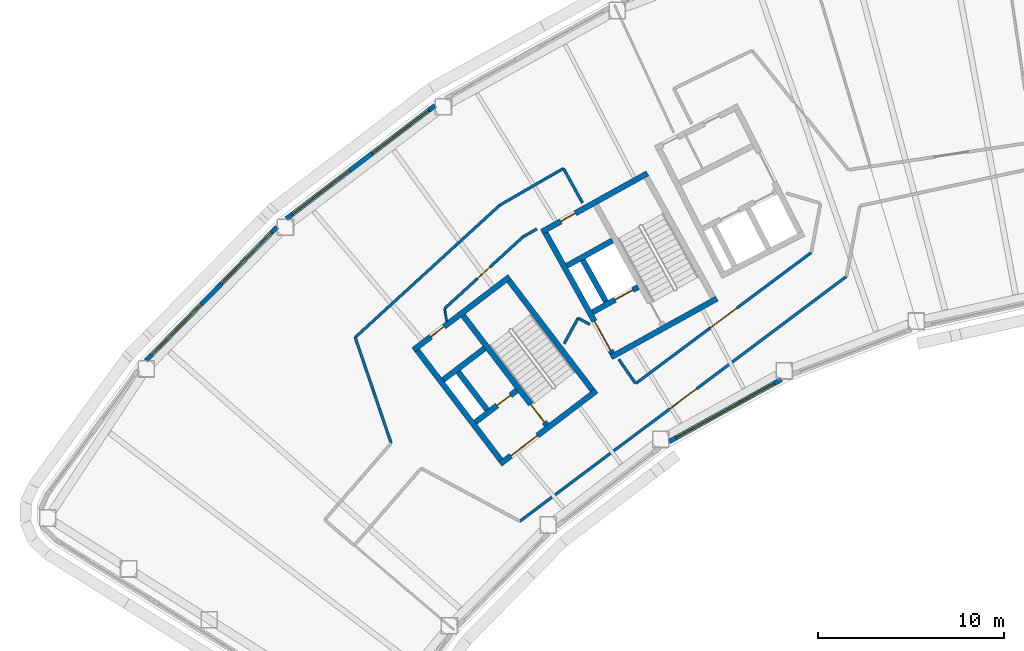
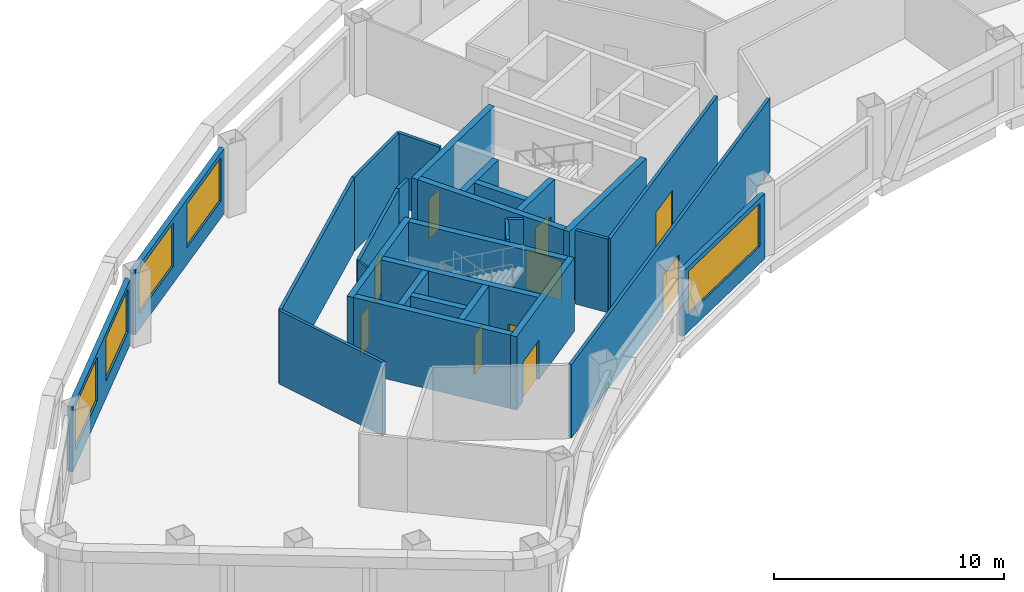
# One storey, part 5 of 12: 29 walls, 10 doors, 5 windows, 15 openings.
"""IFC4 building model written with IfcOpenShell, lengths in metres."""

from ifc_helpers import new_model, si_unit, direction, frame, frame_2d, origin, place, context, subcontext, project, spatial, rectangle, extrude, material, layer, layer_set, type_object, element, fill, save


model = new_model("IFC4")

# Units and contexts
model_context = context("Model", 3, precision=1e-05, world=origin(), true_north=direction((0.0, 1.0)))
body_context = subcontext(model_context, "Body", "Model", "MODEL_VIEW")
ifc_project = project(units=[si_unit("LENGTHUNIT", "METRE"), si_unit("AREAUNIT", "SQUARE_METRE"), si_unit("VOLUMEUNIT", "CUBIC_METRE"), si_unit("PLANEANGLEUNIT", "RADIAN"), si_unit("MASSUNIT", "GRAM", prefix="KILO")], contexts=[model_context])

# Site, building, storey
site_placement = place(None, origin())
site = spatial("IfcSite", under=ifc_project, at=site_placement, CompositionType="ELEMENT")
building_placement = place(site_placement, origin())
building = spatial("IfcBuilding", under=site, at=building_placement, Name="Tuul Gate Civic Tower", CompositionType="ELEMENT")
storey_placement = place(building_placement, frame((0.0, 0.0, 176.300048828125)))
storey = spatial("IfcBuildingStorey", under=building, at=storey_placement, Name="Level 40", CompositionType="ELEMENT", Elevation=176.300048828125)

# Wall, opening, door
ifc_material_1 = material(Name="Concrete C50/60", Category="concrete")
ifc_layer_1 = layer(ifc_material_1, 0.300048828125)
ifc_layer_set_1 = layer_set([ifc_layer_1], Name="Concrete C50/60")
wall_type_1 = type_object("IfcWallType", Name="Core wall C50/60", PredefinedType="SHEAR", material=ifc_layer_set_1)
wall_1_placement = place(storey_placement, frame((-31.19091796875, -13.669677734375, 0.0), z_axis=(0.0, 0.0, 1.0), x_axis=(-0.795606717756, -0.605813461934, 0.0)))
wall_1 = element("IfcWall", 1, at=wall_1_placement, inside=storey, type_object=wall_type_1, Name="Core wall", PredefinedType="SHEAR", context=body_context, shape_type="SweptSolid", body=[
    extrude(rectangle(XDim=6.5, YDim=0.300048828125, at=frame_2d((3.25, 0.0))), origin(), (0.0, 0.0, 1.0), 3.89990234375),
])
opening_1_placement = place(wall_1_placement, frame((3.97509765625, 0.0, 0.0)))
opening_1 = element("IfcOpeningElement", 2, at=opening_1_placement, cuts=wall_1, Name="Opening LB-W1-LOBBY-1", PredefinedType="OPENING", context=body_context, shape_type="SweptSolid", body=[
    extrude(rectangle(XDim=1.800048828125, YDim=2.10009765625, at=frame_2d((0.89990234375, 1.050048828125))), frame((0.0, 0.16015625, 0.0), z_axis=(0.0, -1.0, 0.0), x_axis=(1.0, 0.0, 0.0)), (0.0, 0.0, 1.0), 0.320068359375),
])
ifc_material_2 = material(Name="Steel", Category="steel")
door_type_1 = type_object("IfcDoorType", Name="Lobby door", OperationType="DOUBLE_DOOR_SINGLE_SWING", PredefinedType="DOOR", material=ifc_material_2)
door_1_placement = place(opening_1_placement, origin())
door_1 = element("IfcDoor", 3, at=door_1_placement, inside=storey, type_object=door_type_1, Name="Lobby door W1-LOBBY", OperationType="DOUBLE_DOOR_SINGLE_SWING", OverallHeight=2.10009765625, OverallWidth=1.800048828125, PredefinedType="DOOR", context=body_context, shape_type="SweptSolid", body=[
    extrude(rectangle(XDim=1.800048828125, YDim=2.10009765625, at=frame_2d((0.89990234375, 1.050048828125))), frame((0.0, 0.02490234375, 0.0), z_axis=(0.0, -1.0, 0.0), x_axis=(1.0, 0.0, 0.0)), (0.0, 0.0, 1.0), 0.050048828125),
])
fill(opening_1, door_1)

wall_2_placement = place(storey_placement, frame((-35.470947265625, -13.66064453125, 0.0), z_axis=(0.0, 0.0, 1.0), x_axis=(-0.795615822227, -0.605801504968, 0.0)))
wall_2 = element("IfcWall", 4, at=wall_2_placement, inside=storey, type_object=wall_type_1, Name="Core wall", PredefinedType="SHEAR", context=body_context, shape_type="SweptSolid", body=[
    extrude(rectangle(XDim=2.800048828125, YDim=0.300048828125, at=frame_2d((1.39990234375, 0.0))), origin(), (0.0, 0.0, 1.0), 3.89990234375),
])
opening_2_placement = place(wall_2_placement, frame((0.425048828125, 0.0, 0.0)))
opening_2 = element("IfcOpeningElement", 5, at=opening_2_placement, cuts=wall_2, Name="Opening FB-W1A1", PredefinedType="OPENING", context=body_context, shape_type="SweptSolid", body=[
    extrude(rectangle(XDim=0.89990234375, YDim=2.10009765625, at=frame_2d((0.449951171875, 1.050048828125))), frame((0.0, 0.16015625, 0.0), z_axis=(0.0, -1.0, 0.0), x_axis=(1.0, 0.0, 0.0)), (0.0, 0.0, 1.0), 0.320068359375),
])
ifc_material_3 = material(Name="Steel", Category="steel")
door_type_2 = type_object("IfcDoorType", Name="Store door", OperationType="NOTDEFINED", PredefinedType="DOOR", material=ifc_material_3)
door_2_placement = place(opening_2_placement, frame((0.89990234375, 0.0, 0.0), z_axis=(0.0, 0.0, 1.0), x_axis=(-1.0, 0.0, 0.0)))
door_2 = element("IfcDoor", 6, at=door_2_placement, inside=storey, type_object=door_type_2, Name="Store door W1A1", OperationType="SINGLE_SWING_RIGHT", OverallHeight=2.10009765625, OverallWidth=0.89990234375, PredefinedType="DOOR", context=body_context, shape_type="SweptSolid", body=[
    extrude(rectangle(XDim=0.89990234375, YDim=2.10009765625, at=frame_2d((0.449951171875, 1.050048828125))), frame((0.0, 0.02490234375, 0.0), z_axis=(0.0, -1.0, 0.0), x_axis=(1.0, 0.0, 0.0)), (0.0, 0.0, 1.0), 0.050048828125),
])
fill(opening_2, door_2)

# Wall
wall_3_placement = place(storey_placement, frame((-37.197509765625, -11.39306640625, 0.0), z_axis=(0.0, 0.0, 1.0), x_axis=(-0.795583820278, -0.605843531707, 0.0)))
element("IfcWall", 7, at=wall_3_placement, inside=storey, type_object=wall_type_1, Name="Core wall", PredefinedType="SHEAR", context=body_context, shape_type="SweptSolid", body=[
    extrude(rectangle(XDim=2.7998046875, YDim=0.300048828125, at=frame_2d((1.39990234375, 0.0))), origin(), (0.0, 0.0, 1.0), 3.89990234375),
])

# Wall, opening, door
wall_4_placement = place(storey_placement, frame((-35.855224609375, -7.543212890625, 0.0), z_axis=(0.0, 0.0, 1.0), x_axis=(-0.79563860527, -0.605771582202, 0.0)))
wall_4 = element("IfcWall", 8, at=wall_4_placement, inside=storey, type_object=wall_type_1, Name="Core wall", PredefinedType="SHEAR", context=body_context, shape_type="SweptSolid", body=[
    extrude(rectangle(XDim=6.5, YDim=0.300048828125, at=frame_2d((3.25, 0.0))), origin(), (0.0, 0.0, 1.0), 3.89990234375),
])
opening_3_placement = place(wall_4_placement, frame((4.425048828125, 0.0, 0.0)))
opening_3 = element("IfcOpeningElement", 9, at=opening_3_placement, cuts=wall_4, Name="Opening N-D13", PredefinedType="OPENING", context=body_context, shape_type="SweptSolid", body=[
    extrude(rectangle(XDim=0.89990234375, YDim=2.10009765625, at=frame_2d((0.449951171875, 1.050048828125))), frame((0.0, 0.16015625, 0.0), z_axis=(0.0, -1.0, 0.0), x_axis=(1.0, 0.0, 0.0)), (0.0, 0.0, 1.0), 0.320068359375),
])
ifc_material_4 = material(Name="Timber door leaf", Category="wood")
door_type_3 = type_object("IfcDoorType", Name="Door D09", OperationType="NOTDEFINED", PredefinedType="DOOR", material=ifc_material_4)
door_3_placement = place(opening_3_placement, origin())
door_3 = element("IfcDoor", 10, at=door_3_placement, inside=storey, type_object=door_type_3, Name="Door N-D13", OperationType="SINGLE_SWING_LEFT", OverallHeight=2.10009765625, OverallWidth=0.89990234375, PredefinedType="DOOR", context=body_context, shape_type="SweptSolid", body=[
    extrude(rectangle(XDim=0.89990234375, YDim=2.10009765625, at=frame_2d((0.449951171875, 1.050048828125))), frame((0.0, 0.02490234375, 0.0), z_axis=(0.0, -1.0, 0.0), x_axis=(1.0, 0.0, 0.0)), (0.0, 0.0, 1.0), 0.050048828125),
])
fill(opening_3, door_3)

# Wall
wall_5_placement = place(storey_placement, frame((-31.401123046875, -13.64111328125, 0.0), z_axis=(0.0, 0.0, 1.0), x_axis=(-0.605769822278, 0.795639945213, 0.0)))
element("IfcWall", 11, at=wall_5_placement, inside=storey, type_object=wall_type_1, Name="Core wall", PredefinedType="SHEAR", context=body_context, shape_type="SweptSolid", body=[
    extrude(rectangle(XDim=7.39990234375, YDim=0.300048828125, at=frame_2d((3.699951171875, 0.0))), origin(), (0.0, 0.0, 1.0), 3.89990234375),
])

# Wall, opening, door
wall_6_placement = place(storey_placement, frame((-33.867431640625, -15.51904296875, 0.0), z_axis=(0.0, 0.0, 1.0), x_axis=(-0.605769822278, 0.795639945213, 0.0)))
wall_6 = element("IfcWall", 12, at=wall_6_placement, inside=storey, type_object=wall_type_1, Name="Core wall", PredefinedType="SHEAR", context=body_context, shape_type="SweptSolid", body=[
    extrude(rectangle(XDim=7.39990234375, YDim=0.300048828125, at=frame_2d((3.699951171875, 0.0))), origin(), (0.0, 0.0, 1.0), 3.89990234375),
])
opening_4_placement = place(wall_6_placement, frame((0.199951171875, 0.0, 0.0)))
opening_4 = element("IfcOpeningElement", 13, at=opening_4_placement, cuts=wall_6, Name="Opening SD-ST-1", PredefinedType="OPENING", context=body_context, shape_type="SweptSolid", body=[
    extrude(rectangle(XDim=1.199951171875, YDim=2.10009765625, at=frame_2d((0.60009765625, 1.050048828125))), frame((0.0, 0.16015625, 0.0), z_axis=(0.0, -1.0, 0.0), x_axis=(1.0, 0.0, 0.0)), (0.0, 0.0, 1.0), 0.320068359375),
])
ifc_material_5 = material(Name="Steel", Category="steel")
door_type_4 = type_object("IfcDoorType", Name="Stair door", OperationType="NOTDEFINED", PredefinedType="DOOR", material=ifc_material_5)
door_4_placement = place(opening_4_placement, origin())
door_4 = element("IfcDoor", 14, at=door_4_placement, inside=storey, type_object=door_type_4, Name="Stair door ST-1", OperationType="SINGLE_SWING_LEFT", OverallHeight=2.10009765625, OverallWidth=1.199951171875, PredefinedType="DOOR", context=body_context, shape_type="SweptSolid", body=[
    extrude(rectangle(XDim=1.199951171875, YDim=2.10009765625, at=frame_2d((0.60009765625, 1.050048828125))), frame((0.0, 0.02490234375, 0.0), z_axis=(0.0, -1.0, 0.0), x_axis=(1.0, 0.0, 0.0)), (0.0, 0.0, 1.0), 0.050048828125),
])
fill(opening_4, door_4)

# Walls
wall_7_placement = place(storey_placement, frame((-37.073486328125, -14.6923828125, 0.0), z_axis=(0.0, 0.0, 1.0), x_axis=(-0.605728760074, 0.79567120673, 0.0)))
element("IfcWall", 15, at=wall_7_placement, inside=storey, type_object=wall_type_1, Name="Core wall", PredefinedType="SHEAR", context=body_context, shape_type="SweptSolid", body=[
    extrude(rectangle(XDim=2.550048828125, YDim=0.300048828125, at=frame_2d((1.27490234375, 0.0))), origin(), (0.0, 0.0, 1.0), 3.89990234375),
])
wall_8_placement = place(storey_placement, frame((-36.333984375, -17.397216796875, 0.0), z_axis=(0.0, 0.0, 1.0), x_axis=(-0.605753921168, 0.795652051458, 0.0)))
element("IfcWall", 16, at=wall_8_placement, inside=storey, type_object=wall_type_1, Name="Core wall", PredefinedType="SHEAR", context=body_context, shape_type="SweptSolid", body=[
    extrude(rectangle(XDim=7.400146484375, YDim=0.300048828125, at=frame_2d((3.7001953125, 0.0))), origin(), (0.0, 0.0, 1.0), 3.89990234375),
])
wall_9_placement = place(storey_placement, frame((-24.711669921875, -8.7158203125, 0.0), z_axis=(0.0, 0.0, 1.0), x_axis=(-0.874629909008, -0.484791215132, 0.0)))
element("IfcWall", 17, at=wall_9_placement, inside=storey, type_object=wall_type_1, Name="Core wall", PredefinedType="SHEAR", context=body_context, shape_type="SweptSolid", body=[
    extrude(rectangle(XDim=6.5, YDim=0.300048828125, at=frame_2d((3.25, 0.0))), origin(), (0.0, 0.0, 1.0), 3.89990234375),
])

# Wall, opening, door
wall_10_placement = place(storey_placement, frame((-28.94580078125, -8.090087890625, 0.0), z_axis=(0.0, 0.0, 1.0), x_axis=(-0.874629840737, -0.484791338301, 0.0)))
wall_10 = element("IfcWall", 18, at=wall_10_placement, inside=storey, type_object=wall_type_1, Name="Core wall", PredefinedType="SHEAR", context=body_context, shape_type="SweptSolid", body=[
    extrude(rectangle(XDim=2.800048828125, YDim=0.300048828125, at=frame_2d((1.39990234375, 0.0))), origin(), (0.0, 0.0, 1.0), 3.89990234375),
])
opening_5_placement = place(wall_10_placement, frame((0.324951171875, 0.0, 0.0)))
opening_5 = element("IfcOpeningElement", 19, at=opening_5_placement, cuts=wall_10, Name="Opening LD-FF-1", PredefinedType="OPENING", context=body_context, shape_type="SweptSolid", body=[
    extrude(rectangle(XDim=1.10009765625, YDim=2.10009765625, at=frame_2d((0.550048828125, 1.050048828125))), frame((0.0, 0.16015625, 0.0), z_axis=(0.0, -1.0, 0.0), x_axis=(1.0, 0.0, 0.0)), (0.0, 0.0, 1.0), 0.320068359375),
])
ifc_material_6 = material(Name="Stainless steel", Category="steel")
door_type_5 = type_object("IfcDoorType", Name="Landing door", OperationType="DOUBLE_DOOR_SLIDING", PredefinedType="DOOR", material=ifc_material_6)
door_5_placement = place(opening_5_placement, origin())
door_5 = element("IfcDoor", 20, at=door_5_placement, inside=storey, type_object=door_type_5, Name="Fire-fighting lift FF-1 landing door", OperationType="DOUBLE_DOOR_SLIDING", OverallHeight=2.10009765625, OverallWidth=1.10009765625, PredefinedType="DOOR", context=body_context, shape_type="SweptSolid", body=[
    extrude(rectangle(XDim=1.10009765625, YDim=2.10009765625, at=frame_2d((0.550048828125, 1.050048828125))), frame((0.0, 0.02490234375, 0.0), z_axis=(0.0, -1.0, 0.0), x_axis=(1.0, 0.0, 0.0)), (0.0, 0.0, 1.0), 0.050048828125),
])
fill(opening_5, door_5)

# Wall
wall_11_placement = place(storey_placement, frame((-30.327392578125, -5.59716796875, 0.0), z_axis=(0.0, 0.0, 1.0), x_axis=(-0.874629840737, -0.484791338301, 0.0)))
element("IfcWall", 21, at=wall_11_placement, inside=storey, type_object=wall_type_1, Name="Core wall", PredefinedType="SHEAR", context=body_context, shape_type="SweptSolid", body=[
    extrude(rectangle(XDim=2.800048828125, YDim=0.300048828125, at=frame_2d((1.39990234375, 0.0))), origin(), (0.0, 0.0, 1.0), 3.89990234375),
])

# Wall, opening, door
wall_12_placement = place(storey_placement, frame((-28.4443359375, -1.98095703125, 0.0), z_axis=(0.0, 0.0, 1.0), x_axis=(-0.874629909008, -0.484791215132, 0.0)))
wall_12 = element("IfcWall", 22, at=wall_12_placement, inside=storey, type_object=wall_type_1, Name="Core wall", PredefinedType="SHEAR", context=body_context, shape_type="SweptSolid", body=[
    extrude(rectangle(XDim=6.5, YDim=0.300048828125, at=frame_2d((3.25, 0.0))), origin(), (0.0, 0.0, 1.0), 3.89990234375),
])
opening_6_placement = place(wall_12_placement, frame((4.425048828125, 0.0, 0.0)))
opening_6 = element("IfcOpeningElement", 23, at=opening_6_placement, cuts=wall_12, Name="Opening N-D14", PredefinedType="OPENING", context=body_context, shape_type="SweptSolid", body=[
    extrude(rectangle(XDim=0.89990234375, YDim=2.10009765625, at=frame_2d((0.449951171875, 1.050048828125))), frame((0.0, 0.16015625, 0.0), z_axis=(0.0, -1.0, 0.0), x_axis=(1.0, 0.0, 0.0)), (0.0, 0.0, 1.0), 0.320068359375),
])
door_6_placement = place(opening_6_placement, origin())
door_6 = element("IfcDoor", 24, at=door_6_placement, inside=storey, type_object=door_type_3, Name="Door N-D14", OperationType="SINGLE_SWING_LEFT", OverallHeight=2.10009765625, OverallWidth=0.89990234375, PredefinedType="DOOR", context=body_context, shape_type="SweptSolid", body=[
    extrude(rectangle(XDim=0.89990234375, YDim=2.10009765625, at=frame_2d((0.449951171875, 1.050048828125))), frame((0.0, 0.02490234375, 0.0), z_axis=(0.0, -1.0, 0.0), x_axis=(1.0, 0.0, 0.0)), (0.0, 0.0, 1.0), 0.050048828125),
])
fill(opening_6, door_6)

# Wall
wall_13_placement = place(storey_placement, frame((-30.680419921875, -8.8798828125, 0.0), z_axis=(0.0, 0.0, 1.0), x_axis=(-0.484724115216, 0.874667097888, 0.0)))
element("IfcWall", 25, at=wall_13_placement, inside=storey, type_object=wall_type_1, Name="Core wall", PredefinedType="SHEAR", context=body_context, shape_type="SweptSolid", body=[
    extrude(rectangle(XDim=2.550048828125, YDim=0.300048828125, at=frame_2d((1.27490234375, 0.0))), origin(), (0.0, 0.0, 1.0), 3.89990234375),
])

# Wall, opening, door
wall_14_placement = place(storey_placement, frame((-30.33837890625, -11.6630859375, 0.0), z_axis=(0.0, 0.0, 1.0), x_axis=(-0.484751894226, 0.874651702704, 0.0)))
wall_14 = element("IfcWall", 26, at=wall_14_placement, inside=storey, type_object=wall_type_1, Name="Core wall", PredefinedType="SHEAR", context=body_context, shape_type="SweptSolid", body=[
    extrude(rectangle(XDim=7.39990234375, YDim=0.300048828125, at=frame_2d((3.699951171875, 0.0))), origin(), (0.0, 0.0, 1.0), 3.89990234375),
])
opening_7_placement = place(wall_14_placement, frame((0.175048828125, 0.0, 0.0)))
opening_7 = element("IfcOpeningElement", 27, at=opening_7_placement, cuts=wall_14, Name="Opening LB-W2-FLOBBY-1", PredefinedType="OPENING", context=body_context, shape_type="SweptSolid", body=[
    extrude(rectangle(XDim=1.800048828125, YDim=2.10009765625, at=frame_2d((0.89990234375, 1.050048828125))), frame((0.0, 0.16015625, 0.0), z_axis=(0.0, -1.0, 0.0), x_axis=(1.0, 0.0, 0.0)), (0.0, 0.0, 1.0), 0.320068359375),
])
door_7_placement = place(opening_7_placement, frame((1.800048828125, 0.0, 0.0), z_axis=(0.0, 0.0, 1.0), x_axis=(-1.0, 0.0, 0.0)))
door_7 = element("IfcDoor", 28, at=door_7_placement, inside=storey, type_object=door_type_1, Name="Lobby door W2-FLOBBY", OperationType="DOUBLE_DOOR_SINGLE_SWING", OverallHeight=2.10009765625, OverallWidth=1.800048828125, PredefinedType="DOOR", context=body_context, shape_type="SweptSolid", body=[
    extrude(rectangle(XDim=1.800048828125, YDim=2.10009765625, at=frame_2d((0.900146484375, 1.050048828125))), frame((0.0, 0.02490234375, 0.0), z_axis=(0.0, -1.0, 0.0), x_axis=(1.0, 0.0, 0.0)), (0.0, 0.0, 1.0), 0.050048828125),
])
fill(opening_7, door_7)

ifc_material_7 = material(Name="Gypsum board partition")
ifc_layer_2 = layer(ifc_material_7, 0.14990234375)
ifc_layer_set_2 = layer_set([ifc_layer_2], Name="Gypsum board partition")
wall_type_2 = type_object("IfcWallType", Name="Corridor wall P150", PredefinedType="PARTITIONING", material=ifc_layer_set_2)
wall_15_placement = place(storey_placement, frame((-29.066650390625, -13.27490234375, 0.0), z_axis=(0.0, 0.0, 1.0), x_axis=(0.801557783096, 0.597917318998, 0.0)))
wall_15 = element("IfcWall", 29, at=wall_15_placement, inside=storey, type_object=wall_type_2, Name="p029", PredefinedType="PARTITIONING", context=body_context, shape_type="SweptSolid", body=[
    extrude(rectangle(XDim=11.752685546875, YDim=0.14990234375, at=frame_2d((5.87646484375, 0.0))), origin(), (0.0, 0.0, 1.0), 3.89990234375),
])
opening_8_placement = place(wall_15_placement, frame((4.976318359375, 0.0, 0.0)))
opening_8 = element("IfcOpeningElement", 30, at=opening_8_placement, cuts=wall_15, Name="Opening N-D07", PredefinedType="OPENING", context=body_context, shape_type="SweptSolid", body=[
    extrude(rectangle(XDim=1.800048828125, YDim=2.10009765625, at=frame_2d((0.89990234375, 1.050048828125))), frame((0.0, 0.0849609375, 0.0), z_axis=(0.0, -1.0, 0.0), x_axis=(1.0, 0.0, 0.0)), (0.0, 0.0, 1.0), 0.169921875),
])
ifc_material_8 = material(Name="Timber door leaf, double", Category="wood")
door_type_6 = type_object("IfcDoorType", Name="Door D18", OperationType="DOUBLE_DOOR_SINGLE_SWING", PredefinedType="DOOR", material=ifc_material_8)
door_8_placement = place(opening_8_placement, origin())
door_8 = element("IfcDoor", 31, at=door_8_placement, inside=storey, type_object=door_type_6, Name="Door N-D07", OperationType="DOUBLE_DOOR_SINGLE_SWING", OverallHeight=2.10009765625, OverallWidth=1.800048828125, PredefinedType="DOOR", context=body_context, shape_type="SweptSolid", body=[
    extrude(rectangle(XDim=1.800048828125, YDim=2.10009765625, at=frame_2d((0.89990234375, 1.050048828125))), frame((0.0, 0.02490234375, 0.0), z_axis=(0.0, -1.0, 0.0), x_axis=(1.0, 0.0, 0.0)), (0.0, 0.0, 1.0), 0.050048828125),
])
fill(opening_8, door_8)

# Walls
wall_16_placement = place(storey_placement, frame((-29.985107421875, -11.981689453125, 0.0), z_axis=(0.0, 0.0, 1.0), x_axis=(0.568261095122, -0.822848301798, 0.0)))
element("IfcWall", 32, at=wall_16_placement, inside=storey, type_object=wall_type_2, Name="p030", PredefinedType="PARTITIONING", context=body_context, shape_type="SweptSolid", body=[
    extrude(rectangle(XDim=1.56591796875, YDim=0.14990234375, at=frame_2d((0.782958984375, 0.0))), origin(), (0.0, 0.0, 1.0), 3.89990234375),
])
wall_17_placement = place(storey_placement, frame((-32.96240234375, -1.71923828125, 0.0), z_axis=(0.0, 0.0, 1.0), x_axis=(0.484507965231, -0.874786849254, 0.0)))
element("IfcWall", 33, at=wall_17_placement, inside=storey, type_object=wall_type_2, Name="p031", PredefinedType="PARTITIONING", context=body_context, shape_type="SweptSolid", body=[
    extrude(rectangle(XDim=2.119384765625, YDim=0.14990234375, at=frame_2d((1.0595703125, 0.0))), origin(), (0.0, 0.0, 1.0), 3.89990234375),
])
wall_18_placement = place(storey_placement, frame((-36.3896484375, -3.70068359375, 0.0), z_axis=(0.0, 0.0, 1.0), x_axis=(0.865727315481, 0.500515949027, 0.0)))
element("IfcWall", 34, at=wall_18_placement, inside=storey, type_object=wall_type_2, Name="p032", PredefinedType="PARTITIONING", context=body_context, shape_type="SweptSolid", body=[
    extrude(rectangle(XDim=3.958740234375, YDim=0.14990234375, at=frame_2d((1.9794921875, 0.0))), origin(), (0.0, 0.0, 1.0), 3.89990234375),
])
wall_19_placement = place(storey_placement, frame((-44.154541015625, -10.803466796875, 0.0), z_axis=(0.0, 0.0, 1.0), x_axis=(0.73786539209, 0.674947896623, 0.0)))
element("IfcWall", 35, at=wall_19_placement, inside=storey, type_object=wall_type_2, Name="p033", PredefinedType="PARTITIONING", context=body_context, shape_type="SweptSolid", body=[
    extrude(rectangle(XDim=10.5234375, YDim=0.14990234375, at=frame_2d((5.26171875, 0.0))), origin(), (0.0, 0.0, 1.0), 3.89990234375),
])
wall_20_placement = place(storey_placement, frame((-44.154541015625, -10.803466796875, 0.0), z_axis=(0.0, 0.0, 1.0), x_axis=(0.32153627742, -0.94689726069, 0.0)))
element("IfcWall", 36, at=wall_20_placement, inside=storey, type_object=wall_type_2, Name="p034", PredefinedType="PARTITIONING", context=body_context, shape_type="SweptSolid", body=[
    extrude(rectangle(XDim=5.99609375, YDim=0.14990234375, at=frame_2d((2.998046875, 0.0))), origin(), (0.0, 0.0, 1.0), 3.89990234375),
])

# Wall, opening, door
wall_21_placement = place(storey_placement, frame((-35.301513671875, -20.68359375, 0.0), z_axis=(0.0, 0.0, 1.0), x_axis=(0.800190923617, 0.599745350762, 0.0)))
wall_21 = element("IfcWall", 37, at=wall_21_placement, inside=storey, type_object=wall_type_2, Name="p044", PredefinedType="PARTITIONING", context=body_context, shape_type="SweptSolid", body=[
    extrude(rectangle(XDim=21.9384765625, YDim=0.14990234375, at=frame_2d((10.96923828125, 0.0))), origin(), (0.0, 0.0, 1.0), 3.89990234375),
])
opening_9_placement = place(wall_21_placement, frame((10.069091796875, 0.0, 0.0)))
opening_9 = element("IfcOpeningElement", 38, at=opening_9_placement, cuts=wall_21, Name="Opening N-D10", PredefinedType="OPENING", context=body_context, shape_type="SweptSolid", body=[
    extrude(rectangle(XDim=1.800048828125, YDim=2.10009765625, at=frame_2d((0.89990234375, 1.050048828125))), frame((0.0, 0.0849609375, 0.0), z_axis=(0.0, -1.0, 0.0), x_axis=(1.0, 0.0, 0.0)), (0.0, 0.0, 1.0), 0.169921875),
])
door_9_placement = place(opening_9_placement, frame((1.800048828125, 0.0, 0.0), z_axis=(0.0, 0.0, 1.0), x_axis=(-1.0, 0.0, 0.0)))
door_9 = element("IfcDoor", 39, at=door_9_placement, inside=storey, type_object=door_type_6, Name="Door N-D10", OperationType="DOUBLE_DOOR_SINGLE_SWING", OverallHeight=2.10009765625, OverallWidth=1.800048828125, PredefinedType="DOOR", context=body_context, shape_type="SweptSolid", body=[
    extrude(rectangle(XDim=1.800048828125, YDim=2.10009765625, at=frame_2d((0.900146484375, 1.050048828125))), frame((0.0, 0.02490234375, 0.0), z_axis=(0.0, -1.0, 0.0), x_axis=(1.0, 0.0, 0.0)), (0.0, 0.0, 1.0), 0.050048828125),
])
fill(opening_9, door_9)

wall_22_placement = place(storey_placement, frame((-39.34228515625, -9.24755859375, 0.0), z_axis=(0.0, 0.0, 1.0), x_axis=(0.73786949662, 0.674943409448, 0.0)))
wall_22 = element("IfcWall", 40, at=wall_22_placement, inside=storey, type_object=wall_type_2, Name="p047", PredefinedType="PARTITIONING", context=body_context, shape_type="SweptSolid", body=[
    extrude(rectangle(XDim=5.691650390625, YDim=0.14990234375, at=frame_2d((2.845703125, 0.0))), origin(), (0.0, 0.0, 1.0), 3.89990234375),
])
opening_10_placement = place(wall_22_placement, frame((2.39599609375, 0.0, 0.0)))
opening_10 = element("IfcOpeningElement", 41, at=opening_10_placement, cuts=wall_22, Name="Opening N-D11", PredefinedType="OPENING", context=body_context, shape_type="SweptSolid", body=[
    extrude(rectangle(XDim=0.89990234375, YDim=2.10009765625, at=frame_2d((0.449951171875, 1.050048828125))), frame((0.0, 0.0849609375, 0.0), z_axis=(0.0, -1.0, 0.0), x_axis=(1.0, 0.0, 0.0)), (0.0, 0.0, 1.0), 0.169921875),
])
door_10_placement = place(opening_10_placement, origin())
door_10 = element("IfcDoor", 42, at=door_10_placement, inside=storey, type_object=door_type_3, Name="Door N-D11", OperationType="SINGLE_SWING_RIGHT", OverallHeight=2.10009765625, OverallWidth=0.89990234375, PredefinedType="DOOR", context=body_context, shape_type="SweptSolid", body=[
    extrude(rectangle(XDim=0.89990234375, YDim=2.10009765625, at=frame_2d((0.449951171875, 1.050048828125))), frame((0.0, 0.02490234375, 0.0), z_axis=(0.0, -1.0, 0.0), x_axis=(1.0, 0.0, 0.0)), (0.0, 0.0, 1.0), 0.050048828125),
])
fill(opening_10, door_10)

# Walls
wall_23_placement = place(storey_placement, frame((-35.138916015625, -5.4033203125, 0.0), z_axis=(0.0, 0.0, 1.0), x_axis=(0.865658309045, 0.50063528839, 0.0)))
element("IfcWall", 43, at=wall_23_placement, inside=storey, type_object=wall_type_2, Name="p048", PredefinedType="PARTITIONING", context=body_context, shape_type="SweptSolid", body=[
    extrude(rectangle(XDim=0.8642578125, YDim=0.14990234375, at=frame_2d((0.43212890625, 0.0))), origin(), (0.0, 0.0, 1.0), 3.89990234375),
])
wall_24_placement = place(storey_placement, frame((-32.170654296875, -9.76318359375, 0.0), z_axis=(0.0, 0.0, 1.0), x_axis=(0.877188869085, -0.480145486236, 0.0)))
element("IfcWall", 44, at=wall_24_placement, inside=storey, type_object=wall_type_2, Name="p049", PredefinedType="PARTITIONING", context=body_context, shape_type="SweptSolid", body=[
    extrude(rectangle(XDim=0.7138671875, YDim=0.14990234375, at=frame_2d((0.35693359375, 0.0))), origin(), (0.0, 0.0, 1.0), 3.89990234375),
])
wall_25_placement = place(storey_placement, frame((-32.92578125, -11.142333984375, 0.0), z_axis=(0.0, 0.0, 1.0), x_axis=(0.479961794951, 0.877289390901, 0.0)))
element("IfcWall", 45, at=wall_25_placement, inside=storey, type_object=wall_type_2, Name="p050", PredefinedType="PARTITIONING", context=body_context, shape_type="SweptSolid", body=[
    extrude(rectangle(XDim=1.57177734375, YDim=0.14990234375, at=frame_2d((0.785888671875, 0.0))), origin(), (0.0, 0.0, 1.0), 3.89990234375),
])

# Wall, openings, windows
ifc_material_9 = material(Name="Precast concrete C40/50", Category="concrete")
ifc_layer_3 = layer(ifc_material_9, 0.25)
ifc_layer_set_3 = layer_set([ifc_layer_3], Name="Precast concrete C40/50")
wall_type_3 = type_object("IfcWallType", Name="External wall", PredefinedType="STANDARD", material=ifc_layer_set_3)
wall_26_placement = place(storey_placement, frame((-39.862060546875, 1.659423828125, 0.0), z_axis=(0.0, 0.0, 1.0), x_axis=(-0.795600211162, -0.605822006862, 0.0)))
wall_26 = element("IfcWall", 46, at=wall_26_placement, inside=storey, type_object=wall_type_3, Name="External wall", PredefinedType="STANDARD", context=body_context, shape_type="SweptSolid", body=[
    extrude(rectangle(XDim=10.043212890625, YDim=0.25, at=frame_2d((5.021484375, 0.0))), origin(), (0.0, 0.0, 1.0), 3.449951171875),
])
opening_11_placement = place(wall_26_placement, frame((0.410400390625, 0.0, 0.89990234375)))
opening_11 = element("IfcOpeningElement", 47, at=opening_11_placement, cuts=wall_26, Name="Opening W22", PredefinedType="OPENING", context=body_context, shape_type="SweptSolid", body=[
    extrude(rectangle(XDim=3.85009765625, YDim=2.300048828125, at=frame_2d((1.925048828125, 1.14990234375))), frame((0.0, 0.135009765625, 0.0), z_axis=(0.0, -1.0, 0.0), x_axis=(1.0, 0.0, 0.0)), (0.0, 0.0, 1.0), 0.27001953125),
])
opening_12_placement = place(wall_26_placement, frame((5.78173828125, 0.0, 0.89990234375)))
opening_12 = element("IfcOpeningElement", 48, at=opening_12_placement, cuts=wall_26, Name="Opening W22", PredefinedType="OPENING", context=body_context, shape_type="SweptSolid", body=[
    extrude(rectangle(XDim=3.85009765625, YDim=2.300048828125, at=frame_2d((1.925048828125, 1.14990234375))), frame((0.0, 0.135009765625, 0.0), z_axis=(0.0, -1.0, 0.0), x_axis=(1.0, 0.0, 0.0)), (0.0, 0.0, 1.0), 0.27001953125),
])
ifc_material_10 = material(Name="Glass", Category="glass")
window_type_1 = type_object("IfcWindowType", Name="Window W22 3850 x 2300", PartitioningType="SINGLE_PANEL", PredefinedType="WINDOW", material=ifc_material_10)
window_1_placement = place(opening_11_placement, origin())
window_1 = element("IfcWindow", 49, at=window_1_placement, inside=storey, type_object=window_type_1, Name="Window", OverallHeight=2.300048828125, OverallWidth=3.85009765625, PartitioningType="SINGLE_PANEL", PredefinedType="WINDOW", context=body_context, shape_type="SweptSolid", body=[
    extrude(rectangle(XDim=3.85009765625, YDim=2.300048828125, at=frame_2d((1.925048828125, 1.14990234375))), frame((0.0, 0.030029296875, 0.0), z_axis=(0.0, -1.0, 0.0), x_axis=(1.0, 0.0, 0.0)), (0.0, 0.0, 1.0), 0.06005859375),
])
fill(opening_11, window_1)
window_2_placement = place(opening_12_placement, origin())
window_2 = element("IfcWindow", 50, at=window_2_placement, inside=storey, type_object=window_type_1, Name="Window", OverallHeight=2.300048828125, OverallWidth=3.85009765625, PartitioningType="SINGLE_PANEL", PredefinedType="WINDOW", context=body_context, shape_type="SweptSolid", body=[
    extrude(rectangle(XDim=3.85009765625, YDim=2.300048828125, at=frame_2d((1.925048828125, 1.14990234375))), frame((0.0, 0.030029296875, 0.0), z_axis=(0.0, -1.0, 0.0), x_axis=(1.0, 0.0, 0.0)), (0.0, 0.0, 1.0), 0.06005859375),
])
fill(opening_12, window_2)

wall_27_placement = place(storey_placement, frame((-48.35791015625, -4.87060546875, 0.0), z_axis=(0.0, 0.0, 1.0), x_axis=(-0.700041790386, -0.714101877685, 0.0)))
wall_27 = element("IfcWall", 51, at=wall_27_placement, inside=storey, type_object=wall_type_3, Name="External wall", PredefinedType="STANDARD", context=body_context, shape_type="SweptSolid", body=[
    extrude(rectangle(XDim=10.0537109375, YDim=0.25, at=frame_2d((5.02685546875, 0.0))), origin(), (0.0, 0.0, 1.0), 3.449951171875),
])
opening_13_placement = place(wall_27_placement, frame((0.416015625, 0.0, 0.89990234375)))
opening_13 = element("IfcOpeningElement", 52, at=opening_13_placement, cuts=wall_27, Name="Opening W22", PredefinedType="OPENING", context=body_context, shape_type="SweptSolid", body=[
    extrude(rectangle(XDim=3.85009765625, YDim=2.300048828125, at=frame_2d((1.925048828125, 1.14990234375))), frame((0.0, 0.135009765625, 0.0), z_axis=(0.0, -1.0, 0.0), x_axis=(1.0, 0.0, 0.0)), (0.0, 0.0, 1.0), 0.27001953125),
])
opening_14_placement = place(wall_27_placement, frame((5.787109375, 0.0, 0.89990234375)))
opening_14 = element("IfcOpeningElement", 53, at=opening_14_placement, cuts=wall_27, Name="Opening W22", PredefinedType="OPENING", context=body_context, shape_type="SweptSolid", body=[
    extrude(rectangle(XDim=3.85009765625, YDim=2.300048828125, at=frame_2d((1.925048828125, 1.14990234375))), frame((0.0, 0.135009765625, 0.0), z_axis=(0.0, -1.0, 0.0), x_axis=(1.0, 0.0, 0.0)), (0.0, 0.0, 1.0), 0.27001953125),
])
window_3_placement = place(opening_13_placement, origin())
window_3 = element("IfcWindow", 54, at=window_3_placement, inside=storey, type_object=window_type_1, Name="Window", OverallHeight=2.300048828125, OverallWidth=3.85009765625, PartitioningType="SINGLE_PANEL", PredefinedType="WINDOW", context=body_context, shape_type="SweptSolid", body=[
    extrude(rectangle(XDim=3.85009765625, YDim=2.300048828125, at=frame_2d((1.925048828125, 1.14990234375))), frame((0.0, 0.030029296875, 0.0), z_axis=(0.0, -1.0, 0.0), x_axis=(1.0, 0.0, 0.0)), (0.0, 0.0, 1.0), 0.06005859375),
])
fill(opening_13, window_3)
window_4_placement = place(opening_14_placement, origin())
window_4 = element("IfcWindow", 55, at=window_4_placement, inside=storey, type_object=window_type_1, Name="Window", OverallHeight=2.300048828125, OverallWidth=3.85009765625, PartitioningType="SINGLE_PANEL", PredefinedType="WINDOW", context=body_context, shape_type="SweptSolid", body=[
    extrude(rectangle(XDim=3.85009765625, YDim=2.300048828125, at=frame_2d((1.925048828125, 1.14990234375))), frame((0.0, 0.030029296875, 0.0), z_axis=(0.0, -1.0, 0.0), x_axis=(1.0, 0.0, 0.0)), (0.0, 0.0, 1.0), 0.06005859375),
])
fill(opening_14, window_4)

# Wall, opening, window
wall_28_placement = place(storey_placement, frame((-27.287109375, -16.41064453125, 0.0), z_axis=(0.0, 0.0, 1.0), x_axis=(0.874626480016, 0.484797401452, 0.0)))
wall_28 = element("IfcWall", 56, at=wall_28_placement, inside=storey, type_object=wall_type_3, Name="External wall", PredefinedType="STANDARD", context=body_context, shape_type="SweptSolid", body=[
    extrude(rectangle(XDim=6.915283203125, YDim=0.25, at=frame_2d((3.45751953125, 0.0))), origin(), (0.0, 0.0, 1.0), 3.449951171875),
])
opening_15_placement = place(wall_28_placement, frame((0.4619140625, 0.0, 0.89990234375)))
opening_15 = element("IfcOpeningElement", 57, at=opening_15_placement, cuts=wall_28, Name="Opening W26", PredefinedType="OPENING", context=body_context, shape_type="SweptSolid", body=[
    extrude(rectangle(XDim=6.0, YDim=2.300048828125, at=frame_2d((3.0, 1.14990234375))), frame((0.0, 0.135009765625, 0.0), z_axis=(0.0, -1.0, 0.0), x_axis=(1.0, 0.0, 0.0)), (0.0, 0.0, 1.0), 0.27001953125),
])
ifc_material_11 = material(Name="Glass", Category="glass")
window_type_2 = type_object("IfcWindowType", Name="Window W26 6000 x 2300", PartitioningType="SINGLE_PANEL", PredefinedType="WINDOW", material=ifc_material_11)
window_5_placement = place(opening_15_placement, origin())
window_5 = element("IfcWindow", 58, at=window_5_placement, inside=storey, type_object=window_type_2, Name="Window", OverallHeight=2.300048828125, OverallWidth=6.0, PartitioningType="SINGLE_PANEL", PredefinedType="WINDOW", context=body_context, shape_type="SweptSolid", body=[
    extrude(rectangle(XDim=6.0, YDim=2.300048828125, at=frame_2d((3.0, 1.14990234375))), frame((0.0, 0.030029296875, 0.0), z_axis=(0.0, -1.0, 0.0), x_axis=(1.0, 0.0, 0.0)), (0.0, 0.0, 1.0), 0.06005859375),
])
fill(opening_15, window_5)

# Wall
ifc_material_12 = material(Name="Gypsum board partition")
ifc_layer_4 = layer(ifc_material_12, 0.10009765625)
ifc_layer_set_4 = layer_set([ifc_layer_4], Name="Gypsum board partition")
wall_type_4 = type_object("IfcWallType", Name="Partition P100", PredefinedType="PARTITIONING", material=ifc_layer_set_4)
wall_29_placement = place(storey_placement, frame((-39.237548828125, -9.929931640625, 0.0), z_axis=(0.0, 0.0, 1.0), x_axis=(-0.161358394496, 0.98689587522, 0.0)))
element("IfcWall", 59, at=wall_29_placement, inside=storey, type_object=wall_type_4, Name="p054", PredefinedType="PARTITIONING", context=body_context, shape_type="SweptSolid", body=[
    extrude(rectangle(XDim=0.664306640625, YDim=0.10009765625, at=frame_2d((0.33203125, 0.0))), origin(), (0.0, 0.0, 1.0), 3.89990234375),
])

save(model, "model.ifc")
